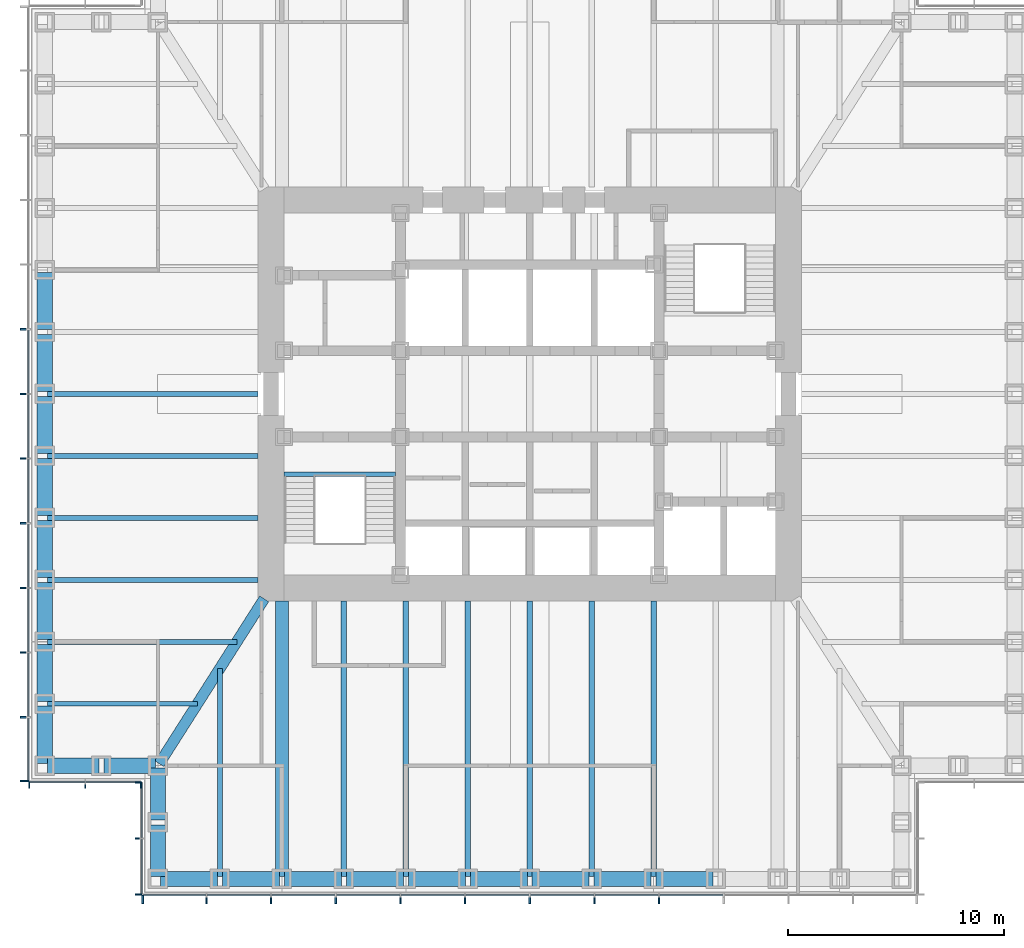
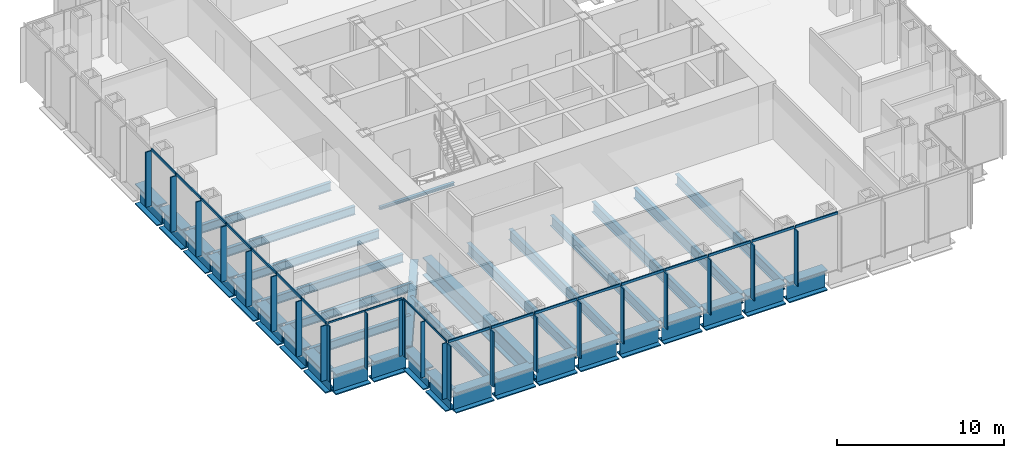
# One storey, part 2 of 17: 43 members, 37 beams, 4 elements without a shape of their own.
"""IFC4 building model written with IfcOpenShell, lengths in metres."""

import ifcopenshell
import ifcopenshell.guid

model = None  # the IFC model being written
_history = None  # IfcOwnerHistory: only IFC2X3 demands one
_inside = {}  # id of a spatial element -> (the spatial element, [elements in it])
_under = {}  # id of a project, library or spatial element -> (it, [spatial elements below it])
_declared = {}  # id of a project -> (the project, [libraries it declares])
_typed = {}  # id of a type object -> (the type object, [elements of that type])
_made_of = {}  # id of a material, layer set ... -> (it, [elements and type objects made of it])


def new_model(schema):
    """Start an empty IFC model of exactly this schema.

    Asked for "IFC4X3", IfcOpenShell would pick the latest addendum, in which some entities
    have other attributes; the version numbers below select the first issue.
    IFC2X3 requires an IfcOwnerHistory on every rooted entity: one is made here for all.
    """
    global model, _history
    if schema == "IFC4X3":
        model = ifcopenshell.file(schema_version=(4, 3, 0, 0))
    else:
        model = ifcopenshell.file(schema=schema)
    _inside.clear()
    _under.clear()
    _declared.clear()
    _typed.clear()
    _made_of.clear()
    _history = None
    if model.schema == "IFC2X3":
        org = make("IfcOrganization", Name="unknown")
        user = make(
            "IfcPersonAndOrganization",
            ThePerson=make("IfcPerson", FamilyName="unknown"),
            TheOrganization=org,
        )
        app = make(
            "IfcApplication",
            ApplicationDeveloper=org,
            Version="unknown",
            ApplicationFullName="unknown",
            ApplicationIdentifier="unknown",
        )
        _history = make(
            "IfcOwnerHistory",
            OwningUser=user,
            OwningApplication=app,
            ChangeAction="ADDED",
            CreationDate=0,
        )
    return model


def make(cls, **values):
    """One entity of the class cls with the attributes given. An attribute that is None is left unset."""
    return model.create_entity(
        cls, **{name: value for name, value in values.items() if value is not None}
    )


def rooted(cls, **values):
    """An entity with a GlobalId (a new one), such as an element, a storey or a relation."""
    return make(cls, GlobalId=ifcopenshell.guid.new(), OwnerHistory=_history, **values)


def si_unit(unit_type, name, prefix=None):
    """IfcSIUnit, for example si_unit("LENGTHUNIT", "METRE", prefix="MILLI")."""
    return make("IfcSIUnit", UnitType=unit_type, Prefix=prefix, Name=name)


def assignment(units):
    """IfcUnitAssignment: the units of a project."""
    return None if units is None else make("IfcUnitAssignment", Units=units)


def point(xyz):
    """IfcCartesianPoint."""
    return None if xyz is None else make("IfcCartesianPoint", Coordinates=xyz)


def direction(xyz):
    """IfcDirection."""
    return None if xyz is None else make("IfcDirection", DirectionRatios=xyz)


def frame(location, z_axis=None, x_axis=None):
    """IfcAxis2Placement3D, a coordinate frame: its origin and axes. An axis left out is left unset."""
    return make(
        "IfcAxis2Placement3D",
        Location=point(location),
        Axis=direction(z_axis),
        RefDirection=direction(x_axis),
    )


def frame_2d(location, x_axis=None):
    """IfcAxis2Placement2D, a coordinate frame in the plane: its origin and x axis."""
    return make(
        "IfcAxis2Placement2D", Location=point(location), RefDirection=direction(x_axis)
    )


def origin():
    """The frame at (0, 0, 0) with its axes left unset."""
    return frame((0.0, 0.0, 0.0))


def origin_2d():
    """The frame at (0, 0) in the plane with its x axis left unset."""
    return frame_2d((0.0, 0.0))


def place(relative_to, where):
    """IfcLocalPlacement: puts the frame where relative to a parent placement (None: the world)."""
    return make(
        "IfcLocalPlacement", PlacementRelTo=relative_to, RelativePlacement=where
    )


def context(
    kind, dimensions, precision=None, world=None, true_north=None, identifier=None
):
    """IfcGeometricRepresentationContext, for example the 3D "Model" context."""
    return make(
        "IfcGeometricRepresentationContext",
        ContextIdentifier=identifier,
        ContextType=kind,
        CoordinateSpaceDimension=dimensions,
        Precision=precision,
        WorldCoordinateSystem=world,
        TrueNorth=true_north,
    )


def subcontext(parent, identifier, kind, view, scale=None):
    """IfcGeometricRepresentationSubContext, for example "Body" below "Model"."""
    return make(
        "IfcGeometricRepresentationSubContext",
        ContextIdentifier=identifier,
        ContextType=kind,
        ParentContext=parent,
        TargetScale=scale,
        TargetView=view,
    )


def project(units=None, contexts=None):
    """IfcProject with its units and contexts."""
    return rooted(
        "IfcProject",
        Name="project",
        RepresentationContexts=contexts,
        UnitsInContext=assignment(units),
    )


def spatial(cls, under=None, at=None, **own):
    """A site, building, storey or space (cls), placed at a placement, below another one or the project."""
    s = rooted(cls, ObjectPlacement=at, **own)
    if under is not None:
        _under.setdefault(under.id(), (under, []))[1].append(s)
    return s


def profile(cls, at=None, kind="AREA", **sizes):
    """A parametric profile (cls). Its sizes go by their IFC names, for example OverallWidth=200.0."""
    return make(cls, ProfileType=kind, Position=at, **sizes)


def rectangle(**sizes):
    """IfcRectangleProfileDef."""
    return profile("IfcRectangleProfileDef", **sizes)


def i_section(**sizes):
    """IfcIShapeProfileDef."""
    return profile("IfcIShapeProfileDef", **sizes)


def extrude(swept, where, along, depth):
    """IfcExtrudedAreaSolid: the profile swept, set in the frame where, extruded along a direction by depth."""
    return make(
        "IfcExtrudedAreaSolid",
        SweptArea=swept,
        Position=where,
        ExtrudedDirection=direction(along),
        Depth=depth,
    )


def shape(context_of_items, identifier, shape_type, items):
    """IfcShapeRepresentation: the items that make up one representation, for example the "Body"."""
    return make(
        "IfcShapeRepresentation",
        ContextOfItems=context_of_items,
        RepresentationIdentifier=identifier,
        RepresentationType=shape_type,
        Items=items,
    )


def material(Name=None, Category=None):
    """IfcMaterial."""
    return make("IfcMaterial", Name=Name, Category=Category)


def material_profile(
    of_material, cross_section, Name=None, Category=None, Priority=None
):
    """IfcMaterialProfile: a cross section and its material."""
    return make(
        "IfcMaterialProfile",
        Name=Name,
        Material=of_material,
        Profile=cross_section,
        Priority=Priority,
        Category=Category,
    )


def profile_set(profiles, Name=None, composite=None):
    """IfcMaterialProfileSet."""
    return make(
        "IfcMaterialProfileSet",
        Name=Name,
        MaterialProfiles=profiles,
        CompositeProfile=composite,
    )


def made_of(thing, what):
    """Note that an element or type object is made of a material, layer set ...; save() writes the relation."""
    if what is not None:
        _made_of.setdefault(what.id(), (what, []))[1].append(thing)
    return thing


def type_object(cls, material=None, **own):
    """A type object (cls), such as IfcWallType, which elements share."""
    return made_of(rooted(cls, **own), material)


def element(
    cls,
    number,
    at=None,
    inside=None,
    cuts=None,
    type_object=None,
    material=None,
    context=None,
    identifier="Body",
    shape_type=None,
    held_by="IfcProductDefinitionShape",
    body=None,
    shapes=None,
    **own,
):
    """One element of the class cls, such as IfcWall. Its Tag is "e" and its number.

    at: its placement. inside: the storey or other place that contains it. cuts: it is an
    opening in that element (IfcRelVoidsElement). A single representation is given by context,
    identifier, shape_type and body (its items); several are given by shapes. held_by: the class
    of the entity that holds the representations. save() writes the other relations.
    """
    e = rooted(cls, Tag="e%d" % number, ObjectPlacement=at, **own)
    if body is not None:
        shapes = [shape(context, identifier, shape_type, body)]
    if shapes is not None:
        e.Representation = make(held_by, Representations=shapes)
    if inside is not None:
        _inside.setdefault(inside.id(), (inside, []))[1].append(e)
    if cuts is not None:
        rooted(
            "IfcRelVoidsElement", RelatingBuildingElement=cuts, RelatedOpeningElement=e
        )
    if type_object is not None:
        _typed.setdefault(type_object.id(), (type_object, []))[1].append(e)
    return made_of(e, material)


def aggregate(whole, parts):
    """IfcRelAggregates: a whole, such as a stair, and the parts it consists of."""
    return rooted("IfcRelAggregates", RelatingObject=whole, RelatedObjects=parts)


def save(model, path):
    """Write the relations noted so far, then the file.

    IfcRelAggregates (storeys below a building ...), IfcRelContainedInSpatialStructure (elements
    in a storey), IfcRelDefinesByType, IfcRelAssociatesMaterial and IfcRelDeclares: one each for
    every whole, place, type object, material and project.
    """
    for whole, parts in _under.values():
        aggregate(whole, parts)
    for where, things in _inside.values():
        rooted(
            "IfcRelContainedInSpatialStructure",
            RelatedElements=things,
            RelatingStructure=where,
        )
    for kind, things in _typed.values():
        rooted("IfcRelDefinesByType", RelatedObjects=things, RelatingType=kind)
    for what, things in _made_of.values():
        rooted("IfcRelAssociatesMaterial", RelatedObjects=things, RelatingMaterial=what)
    for by, libraries in _declared.values():
        rooted("IfcRelDeclares", RelatingContext=by, RelatedDefinitions=libraries)
    model.write(path)


model = new_model("IFC4")

# Units and contexts
model_context = context("Model", 3, precision=1e-05, world=origin(), true_north=direction((0.0, 1.0)))
body_context = subcontext(model_context, "Body", "Model", "MODEL_VIEW")
ifc_project = project(units=[si_unit("LENGTHUNIT", "METRE"), si_unit("AREAUNIT", "SQUARE_METRE"), si_unit("VOLUMEUNIT", "CUBIC_METRE"), si_unit("PLANEANGLEUNIT", "RADIAN"), si_unit("MASSUNIT", "GRAM", prefix="KILO")], contexts=[model_context])

# Site, building, storey
site_placement = place(None, origin())
site = spatial("IfcSite", under=ifc_project, at=site_placement, CompositionType="ELEMENT")
building_placement = place(site_placement, origin())
building = spatial("IfcBuilding", under=site, at=building_placement, Name="Daluyong Arena Tower", CompositionType="ELEMENT")
storey_placement = place(building_placement, frame((0.0, 0.0, 150.10009765625)))
storey = spatial("IfcBuildingStorey", under=building, at=storey_placement, Name="L33", CompositionType="ELEMENT", Elevation=150.10009765625)

# Curtain wall, members
ifc_material_1 = material(Name="Bronze anodised aluminium and glass", Category="aluminium")
curtain_wall_type_1 = type_object("IfcCurtainWallType", Name="Curtain wall CW2", PredefinedType="USERDEFINED", material=ifc_material_1)
curtain_wall_1_placement = place(storey_placement, origin())
curtain_wall_1 = element("IfcCurtainWall", 1, at=curtain_wall_1_placement, inside=storey, type_object=curtain_wall_type_1, Name="curtain wall L33 S", ObjectType="UNITISED CURTAIN WALL", PredefinedType="USERDEFINED")
ifc_material_2 = material(Name="Bronze anodised aluminium fin", Category="aluminium")
ifc_material_profile_1 = material_profile(ifc_material_2, rectangle(XDim=0.39990234375, YDim=0.080078125, at=origin_2d()))
ifc_profile_set_1 = profile_set([ifc_material_profile_1], Name="Bronze anodised aluminium fin")
member_type_1 = type_object("IfcMemberType", Name="CW2 bronze fin 400x80", PredefinedType="MULLION", material=ifc_profile_set_1)
member_1_placement = place(storey_placement, frame((38.0400390625, 56.550048828125, 0.0), z_axis=(0.0, 0.0, 1.0), x_axis=(0.0, 1.0, 0.0)))
member_1 = element("IfcMember", 2, at=member_1_placement, type_object=member_type_1, Name="curtain wall L33 S fin 1", PredefinedType="MULLION", context=body_context, shape_type="SweptSolid", body=[
    extrude(rectangle(XDim=0.39990234375, YDim=0.080078125, at=origin_2d()), origin(), (0.0, 0.0, 1.0), 4.02001953125),
])
member_2_placement = place(storey_placement, frame((41.0, 56.550048828125, 0.0), z_axis=(0.0, 0.0, 1.0), x_axis=(0.0, 1.0, 0.0)))
member_2 = element("IfcMember", 3, at=member_2_placement, type_object=member_type_1, Name="curtain wall L33 S fin 2", PredefinedType="MULLION", context=body_context, shape_type="SweptSolid", body=[
    extrude(rectangle(XDim=0.39990234375, YDim=0.080078125, at=origin_2d()), origin(), (0.0, 0.0, 1.0), 4.02001953125),
])
member_3_placement = place(storey_placement, frame((44.0, 56.550048828125, 0.0), z_axis=(0.0, 0.0, 1.0), x_axis=(0.0, 1.0, 0.0)))
member_3 = element("IfcMember", 4, at=member_3_placement, type_object=member_type_1, Name="curtain wall L33 S fin 3", PredefinedType="MULLION", context=body_context, shape_type="SweptSolid", body=[
    extrude(rectangle(XDim=0.39990234375, YDim=0.080078125, at=origin_2d()), origin(), (0.0, 0.0, 1.0), 4.02001953125),
])
member_4_placement = place(storey_placement, frame((47.0, 56.550048828125, 0.0), z_axis=(0.0, 0.0, 1.0), x_axis=(0.0, 1.0, 0.0)))
member_4 = element("IfcMember", 5, at=member_4_placement, type_object=member_type_1, Name="curtain wall L33 S fin 4", PredefinedType="MULLION", context=body_context, shape_type="SweptSolid", body=[
    extrude(rectangle(XDim=0.39990234375, YDim=0.080078125, at=origin_2d()), origin(), (0.0, 0.0, 1.0), 4.02001953125),
])
member_5_placement = place(storey_placement, frame((50.0, 56.550048828125, 0.0), z_axis=(0.0, 0.0, 1.0), x_axis=(0.0, 1.0, 0.0)))
member_5 = element("IfcMember", 6, at=member_5_placement, type_object=member_type_1, Name="curtain wall L33 S fin 5", PredefinedType="MULLION", context=body_context, shape_type="SweptSolid", body=[
    extrude(rectangle(XDim=0.39990234375, YDim=0.080078125, at=origin_2d()), origin(), (0.0, 0.0, 1.0), 4.02001953125),
])
member_6_placement = place(storey_placement, frame((53.0, 56.550048828125, 0.0), z_axis=(0.0, 0.0, 1.0), x_axis=(0.0, 1.0, 0.0)))
member_6 = element("IfcMember", 7, at=member_6_placement, type_object=member_type_1, Name="curtain wall L33 S fin 6", PredefinedType="MULLION", context=body_context, shape_type="SweptSolid", body=[
    extrude(rectangle(XDim=0.39990234375, YDim=0.080078125, at=origin_2d()), origin(), (0.0, 0.0, 1.0), 4.02001953125),
])
member_7_placement = place(storey_placement, frame((56.0, 56.550048828125, 0.0), z_axis=(0.0, 0.0, 1.0), x_axis=(0.0, 1.0, 0.0)))
member_7 = element("IfcMember", 8, at=member_7_placement, type_object=member_type_1, Name="curtain wall L33 S fin 7", PredefinedType="MULLION", context=body_context, shape_type="SweptSolid", body=[
    extrude(rectangle(XDim=0.39990234375, YDim=0.080078125, at=origin_2d()), origin(), (0.0, 0.0, 1.0), 4.02001953125),
])
member_8_placement = place(storey_placement, frame((59.0, 56.550048828125, 0.0), z_axis=(0.0, 0.0, 1.0), x_axis=(0.0, 1.0, 0.0)))
member_8 = element("IfcMember", 9, at=member_8_placement, type_object=member_type_1, Name="curtain wall L33 S fin 8", PredefinedType="MULLION", context=body_context, shape_type="SweptSolid", body=[
    extrude(rectangle(XDim=0.39990234375, YDim=0.080078125, at=origin_2d()), origin(), (0.0, 0.0, 1.0), 4.02001953125),
])
member_9_placement = place(storey_placement, frame((62.0, 56.550048828125, 0.0), z_axis=(0.0, 0.0, 1.0), x_axis=(0.0, 1.0, 0.0)))
member_9 = element("IfcMember", 10, at=member_9_placement, type_object=member_type_1, Name="curtain wall L33 S fin 9", PredefinedType="MULLION", context=body_context, shape_type="SweptSolid", body=[
    extrude(rectangle(XDim=0.39990234375, YDim=0.080078125, at=origin_2d()), origin(), (0.0, 0.0, 1.0), 4.02001953125),
])

curtain_wall_2_placement = place(storey_placement, origin())
curtain_wall_2 = element("IfcCurtainWall", 11, at=curtain_wall_2_placement, inside=storey, type_object=curtain_wall_type_1, Name="curtain wall L33 W", ObjectType="UNITISED CURTAIN WALL", PredefinedType="USERDEFINED")
member_10_placement = place(storey_placement, frame((32.550048828125, 83.0, 0.0), z_axis=(0.0, 0.0, 1.0), x_axis=(1.0, 0.0, 0.0)))
member_10 = element("IfcMember", 12, at=member_10_placement, type_object=member_type_1, Name="curtain wall L33 W fin 6", PredefinedType="MULLION", context=body_context, shape_type="SweptSolid", body=[
    extrude(rectangle(XDim=0.39990234375, YDim=0.080078125, at=origin_2d()), origin(), (0.0, 0.0, 1.0), 4.02001953125),
])
member_11_placement = place(storey_placement, frame((32.550048828125, 80.0, 0.0), z_axis=(0.0, 0.0, 1.0), x_axis=(1.0, 0.0, 0.0)))
member_11 = element("IfcMember", 13, at=member_11_placement, type_object=member_type_1, Name="curtain wall L33 W fin 7", PredefinedType="MULLION", context=body_context, shape_type="SweptSolid", body=[
    extrude(rectangle(XDim=0.39990234375, YDim=0.080078125, at=origin_2d()), origin(), (0.0, 0.0, 1.0), 4.02001953125),
])
member_12_placement = place(storey_placement, frame((32.550048828125, 77.0, 0.0), z_axis=(0.0, 0.0, 1.0), x_axis=(1.0, 0.0, 0.0)))
member_12 = element("IfcMember", 14, at=member_12_placement, type_object=member_type_1, Name="curtain wall L33 W fin 8", PredefinedType="MULLION", context=body_context, shape_type="SweptSolid", body=[
    extrude(rectangle(XDim=0.39990234375, YDim=0.080078125, at=origin_2d()), origin(), (0.0, 0.0, 1.0), 4.02001953125),
])
member_13_placement = place(storey_placement, frame((32.550048828125, 74.0, 0.0), z_axis=(0.0, 0.0, 1.0), x_axis=(1.0, 0.0, 0.0)))
member_13 = element("IfcMember", 15, at=member_13_placement, type_object=member_type_1, Name="curtain wall L33 W fin 9", PredefinedType="MULLION", context=body_context, shape_type="SweptSolid", body=[
    extrude(rectangle(XDim=0.39990234375, YDim=0.080078125, at=origin_2d()), origin(), (0.0, 0.0, 1.0), 4.02001953125),
])
member_14_placement = place(storey_placement, frame((32.550048828125, 71.0, 0.0), z_axis=(0.0, 0.0, 1.0), x_axis=(1.0, 0.0, 0.0)))
member_14 = element("IfcMember", 16, at=member_14_placement, type_object=member_type_1, Name="curtain wall L33 W fin 10", PredefinedType="MULLION", context=body_context, shape_type="SweptSolid", body=[
    extrude(rectangle(XDim=0.39990234375, YDim=0.080078125, at=origin_2d()), origin(), (0.0, 0.0, 1.0), 4.02001953125),
])
member_15_placement = place(storey_placement, frame((32.550048828125, 68.0, 0.0), z_axis=(0.0, 0.0, 1.0), x_axis=(1.0, 0.0, 0.0)))
member_15 = element("IfcMember", 17, at=member_15_placement, type_object=member_type_1, Name="curtain wall L33 W fin 11", PredefinedType="MULLION", context=body_context, shape_type="SweptSolid", body=[
    extrude(rectangle(XDim=0.39990234375, YDim=0.080078125, at=origin_2d()), origin(), (0.0, 0.0, 1.0), 4.02001953125),
])
member_16_placement = place(storey_placement, frame((32.550048828125, 65.0, 0.0), z_axis=(0.0, 0.0, 1.0), x_axis=(1.0, 0.0, 0.0)))
member_16 = element("IfcMember", 18, at=member_16_placement, type_object=member_type_1, Name="curtain wall L33 W fin 12", PredefinedType="MULLION", context=body_context, shape_type="SweptSolid", body=[
    extrude(rectangle(XDim=0.39990234375, YDim=0.080078125, at=origin_2d()), origin(), (0.0, 0.0, 1.0), 4.02001953125),
])
member_17_placement = place(storey_placement, frame((32.550048828125, 62.0400390625, 0.0), z_axis=(0.0, 0.0, 1.0), x_axis=(1.0, 0.0, 0.0)))
member_17 = element("IfcMember", 19, at=member_17_placement, type_object=member_type_1, Name="curtain wall L33 W fin 13", PredefinedType="MULLION", context=body_context, shape_type="SweptSolid", body=[
    extrude(rectangle(XDim=0.39990234375, YDim=0.080078125, at=origin_2d()), origin(), (0.0, 0.0, 1.0), 4.02001953125),
])

# Member
ifc_material_3 = material(Name="Bronze anodised aluminium", Category="aluminium")
ifc_material_profile_2 = material_profile(ifc_material_3, rectangle(XDim=0.080078125, YDim=0.179931640625, at=origin_2d()))
ifc_profile_set_2 = profile_set([ifc_material_profile_2], Name="Bronze anodised aluminium")
member_type_2 = type_object("IfcMemberType", Name="CW2 stack transom 180x80", PredefinedType="USERDEFINED", material=ifc_profile_set_2)
member_18_placement = place(storey_placement, frame((38.080078125, 56.75, 4.10986328125), z_axis=(1.0, 0.0, 0.0), x_axis=(0.0, 1.0, 0.0)))
member_18 = element("IfcMember", 20, at=member_18_placement, type_object=member_type_2, Name="curtain wall L33 S transom 1", ObjectType="TRANSOM", PredefinedType="USERDEFINED", context=body_context, shape_type="SweptSolid", body=[
    extrude(rectangle(XDim=0.080078125, YDim=0.179931640625, at=origin_2d()), origin(), (0.0, 0.0, 1.0), 2.8798828125),
])

member_19_placement = place(storey_placement, frame((41.0400390625, 56.75, 4.10986328125), z_axis=(1.0, 0.0, 0.0), x_axis=(0.0, 1.0, 0.0)))
member_19 = element("IfcMember", 21, at=member_19_placement, type_object=member_type_2, Name="curtain wall L33 S transom 2", ObjectType="TRANSOM", PredefinedType="USERDEFINED", context=body_context, shape_type="SweptSolid", body=[
    extrude(rectangle(XDim=0.080078125, YDim=0.179931640625, at=origin_2d()), origin(), (0.0, 0.0, 1.0), 2.919921875),
])

member_20_placement = place(storey_placement, frame((44.0400390625, 56.75, 4.10986328125), z_axis=(1.0, 0.0, 0.0), x_axis=(0.0, 1.0, 0.0)))
member_20 = element("IfcMember", 22, at=member_20_placement, type_object=member_type_2, Name="curtain wall L33 S transom 3", ObjectType="TRANSOM", PredefinedType="USERDEFINED", context=body_context, shape_type="SweptSolid", body=[
    extrude(rectangle(XDim=0.080078125, YDim=0.179931640625, at=origin_2d()), origin(), (0.0, 0.0, 1.0), 2.919921875),
])

member_21_placement = place(storey_placement, frame((47.0400390625, 56.75, 4.10986328125), z_axis=(1.0, 0.0, 0.0), x_axis=(0.0, 1.0, 0.0)))
member_21 = element("IfcMember", 23, at=member_21_placement, type_object=member_type_2, Name="curtain wall L33 S transom 4", ObjectType="TRANSOM", PredefinedType="USERDEFINED", context=body_context, shape_type="SweptSolid", body=[
    extrude(rectangle(XDim=0.080078125, YDim=0.179931640625, at=origin_2d()), origin(), (0.0, 0.0, 1.0), 2.919921875),
])

member_22_placement = place(storey_placement, frame((50.0400390625, 56.75, 4.10986328125), z_axis=(1.0, 0.0, 0.0), x_axis=(0.0, 1.0, 0.0)))
member_22 = element("IfcMember", 24, at=member_22_placement, type_object=member_type_2, Name="curtain wall L33 S transom 5", ObjectType="TRANSOM", PredefinedType="USERDEFINED", context=body_context, shape_type="SweptSolid", body=[
    extrude(rectangle(XDim=0.080078125, YDim=0.179931640625, at=origin_2d()), origin(), (0.0, 0.0, 1.0), 2.919921875),
])

member_23_placement = place(storey_placement, frame((53.0400390625, 56.75, 4.10986328125), z_axis=(1.0, 0.0, 0.0), x_axis=(0.0, 1.0, 0.0)))
member_23 = element("IfcMember", 25, at=member_23_placement, type_object=member_type_2, Name="curtain wall L33 S transom 6", ObjectType="TRANSOM", PredefinedType="USERDEFINED", context=body_context, shape_type="SweptSolid", body=[
    extrude(rectangle(XDim=0.080078125, YDim=0.179931640625, at=origin_2d()), origin(), (0.0, 0.0, 1.0), 2.919921875),
])

member_24_placement = place(storey_placement, frame((56.0400390625, 56.75, 4.10986328125), z_axis=(1.0, 0.0, 0.0), x_axis=(0.0, 1.0, 0.0)))
member_24 = element("IfcMember", 26, at=member_24_placement, type_object=member_type_2, Name="curtain wall L33 S transom 7", ObjectType="TRANSOM", PredefinedType="USERDEFINED", context=body_context, shape_type="SweptSolid", body=[
    extrude(rectangle(XDim=0.080078125, YDim=0.179931640625, at=origin_2d()), origin(), (0.0, 0.0, 1.0), 2.919921875),
])

member_25_placement = place(storey_placement, frame((59.0400390625, 56.75, 4.10986328125), z_axis=(1.0, 0.0, 0.0), x_axis=(0.0, 1.0, 0.0)))
member_25 = element("IfcMember", 27, at=member_25_placement, type_object=member_type_2, Name="curtain wall L33 S transom 8", ObjectType="TRANSOM", PredefinedType="USERDEFINED", context=body_context, shape_type="SweptSolid", body=[
    extrude(rectangle(XDim=0.080078125, YDim=0.179931640625, at=origin_2d()), origin(), (0.0, 0.0, 1.0), 2.919921875),
])

member_26_placement = place(storey_placement, frame((62.0400390625, 56.75, 4.10986328125), z_axis=(1.0, 0.0, 0.0), x_axis=(0.0, 1.0, 0.0)))
member_26 = element("IfcMember", 28, at=member_26_placement, type_object=member_type_2, Name="curtain wall L33 S transom 9", ObjectType="TRANSOM", PredefinedType="USERDEFINED", context=body_context, shape_type="SweptSolid", body=[
    extrude(rectangle(XDim=0.080078125, YDim=0.179931640625, at=origin_2d()), origin(), (0.0, 0.0, 1.0), 2.919921875),
])

aggregate(curtain_wall_1, [member_1, member_2, member_3, member_4, member_5, member_6, member_7, member_8, member_9, member_18, member_19, member_20, member_21, member_22, member_23, member_24, member_25, member_26])

member_27_placement = place(storey_placement, frame((32.75, 82.9599609375, 4.10986328125), z_axis=(0.0, -1.0, 0.0), x_axis=(1.0, 0.0, 0.0)))
member_27 = element("IfcMember", 29, at=member_27_placement, type_object=member_type_2, Name="curtain wall L33 W transom 6", ObjectType="TRANSOM", PredefinedType="USERDEFINED", context=body_context, shape_type="SweptSolid", body=[
    extrude(rectangle(XDim=0.080078125, YDim=0.179931640625, at=origin_2d()), origin(), (0.0, 0.0, 1.0), 2.919921875),
])

member_28_placement = place(storey_placement, frame((32.75, 79.9599609375, 4.10986328125), z_axis=(0.0, -1.0, 0.0), x_axis=(1.0, 0.0, 0.0)))
member_28 = element("IfcMember", 30, at=member_28_placement, type_object=member_type_2, Name="curtain wall L33 W transom 7", ObjectType="TRANSOM", PredefinedType="USERDEFINED", context=body_context, shape_type="SweptSolid", body=[
    extrude(rectangle(XDim=0.080078125, YDim=0.179931640625, at=origin_2d()), origin(), (0.0, 0.0, 1.0), 2.919921875),
])

member_29_placement = place(storey_placement, frame((32.75, 76.9599609375, 4.10986328125), z_axis=(0.0, -1.0, 0.0), x_axis=(1.0, 0.0, 0.0)))
member_29 = element("IfcMember", 31, at=member_29_placement, type_object=member_type_2, Name="curtain wall L33 W transom 8", ObjectType="TRANSOM", PredefinedType="USERDEFINED", context=body_context, shape_type="SweptSolid", body=[
    extrude(rectangle(XDim=0.080078125, YDim=0.179931640625, at=origin_2d()), origin(), (0.0, 0.0, 1.0), 2.919921875),
])

member_30_placement = place(storey_placement, frame((32.75, 73.9599609375, 4.10986328125), z_axis=(0.0, -1.0, 0.0), x_axis=(1.0, 0.0, 0.0)))
member_30 = element("IfcMember", 32, at=member_30_placement, type_object=member_type_2, Name="curtain wall L33 W transom 9", ObjectType="TRANSOM", PredefinedType="USERDEFINED", context=body_context, shape_type="SweptSolid", body=[
    extrude(rectangle(XDim=0.080078125, YDim=0.179931640625, at=origin_2d()), origin(), (0.0, 0.0, 1.0), 2.919921875),
])

member_31_placement = place(storey_placement, frame((32.75, 70.9599609375, 4.10986328125), z_axis=(0.0, -1.0, 0.0), x_axis=(1.0, 0.0, 0.0)))
member_31 = element("IfcMember", 33, at=member_31_placement, type_object=member_type_2, Name="curtain wall L33 W transom 10", ObjectType="TRANSOM", PredefinedType="USERDEFINED", context=body_context, shape_type="SweptSolid", body=[
    extrude(rectangle(XDim=0.080078125, YDim=0.179931640625, at=origin_2d()), origin(), (0.0, 0.0, 1.0), 2.919921875),
])

member_32_placement = place(storey_placement, frame((32.75, 67.9599609375, 4.10986328125), z_axis=(0.0, -1.0, 0.0), x_axis=(1.0, 0.0, 0.0)))
member_32 = element("IfcMember", 34, at=member_32_placement, type_object=member_type_2, Name="curtain wall L33 W transom 11", ObjectType="TRANSOM", PredefinedType="USERDEFINED", context=body_context, shape_type="SweptSolid", body=[
    extrude(rectangle(XDim=0.080078125, YDim=0.179931640625, at=origin_2d()), origin(), (0.0, 0.0, 1.0), 2.919921875),
])

member_33_placement = place(storey_placement, frame((32.75, 64.9599609375, 4.10986328125), z_axis=(0.0, -1.0, 0.0), x_axis=(1.0, 0.0, 0.0)))
member_33 = element("IfcMember", 35, at=member_33_placement, type_object=member_type_2, Name="curtain wall L33 W transom 12", ObjectType="TRANSOM", PredefinedType="USERDEFINED", context=body_context, shape_type="SweptSolid", body=[
    extrude(rectangle(XDim=0.080078125, YDim=0.179931640625, at=origin_2d()), origin(), (0.0, 0.0, 1.0), 2.8798828125),
])

aggregate(curtain_wall_2, [member_10, member_11, member_12, member_13, member_14, member_15, member_16, member_17, member_27, member_28, member_29, member_30, member_31, member_32, member_33])

# Curtain wall, members
ifc_material_4 = material(Name="Bronze anodised aluminium and glass", Category="aluminium")
curtain_wall_type_2 = type_object("IfcCurtainWallType", Name="Curtain wall CW7", PredefinedType="USERDEFINED", material=ifc_material_4)
curtain_wall_3_placement = place(storey_placement, origin())
curtain_wall_3 = element("IfcCurtainWall", 36, at=curtain_wall_3_placement, inside=storey, type_object=curtain_wall_type_2, Name="curtain wall L33 SW-S", ObjectType="UNITISED CURTAIN WALL", PredefinedType="USERDEFINED")
ifc_material_5 = material(Name="Bronze anodised aluminium fin", Category="aluminium")
ifc_material_profile_3 = material_profile(ifc_material_5, rectangle(XDim=0.300048828125, YDim=0.06005859375, at=origin_2d()))
ifc_profile_set_3 = profile_set([ifc_material_profile_3], Name="Bronze anodised aluminium fin")
member_type_3 = type_object("IfcMemberType", Name="CW7 bronze fin 300x60", PredefinedType="MULLION", material=ifc_profile_set_3)
member_34_placement = place(storey_placement, frame((32.780029296875, 61.85009765625, 0.0), z_axis=(0.0, 0.0, 1.0), x_axis=(0.0, 1.0, 0.0)))
member_34 = element("IfcMember", 37, at=member_34_placement, type_object=member_type_3, Name="curtain wall L33 SW-S fin 1", PredefinedType="MULLION", context=body_context, shape_type="SweptSolid", body=[
    extrude(rectangle(XDim=0.300048828125, YDim=0.06005859375, at=origin_2d()), origin(), (0.0, 0.0, 1.0), 4.079833984375),
])
member_35_placement = place(storey_placement, frame((35.375, 61.85009765625, 0.0), z_axis=(0.0, 0.0, 1.0), x_axis=(0.0, 1.0, 0.0)))
member_35 = element("IfcMember", 38, at=member_35_placement, type_object=member_type_3, Name="curtain wall L33 SW-S fin 2", PredefinedType="MULLION", context=body_context, shape_type="SweptSolid", body=[
    extrude(rectangle(XDim=0.300048828125, YDim=0.06005859375, at=origin_2d()), origin(), (0.0, 0.0, 1.0), 4.079833984375),
])
member_36_placement = place(storey_placement, frame((37.969970703125, 61.85009765625, 0.0), z_axis=(0.0, 0.0, 1.0), x_axis=(0.0, 1.0, 0.0)))
member_36 = element("IfcMember", 39, at=member_36_placement, type_object=member_type_3, Name="curtain wall L33 SW-S fin 3", PredefinedType="MULLION", context=body_context, shape_type="SweptSolid", body=[
    extrude(rectangle(XDim=0.300048828125, YDim=0.06005859375, at=origin_2d()), origin(), (0.0, 0.0, 1.0), 4.079833984375),
])

curtain_wall_4_placement = place(storey_placement, origin())
curtain_wall_4 = element("IfcCurtainWall", 40, at=curtain_wall_4_placement, inside=storey, type_object=curtain_wall_type_2, Name="curtain wall L33 SW-W", ObjectType="UNITISED CURTAIN WALL", PredefinedType="USERDEFINED")
member_37_placement = place(storey_placement, frame((37.85009765625, 61.969970703125, 0.0), z_axis=(0.0, 0.0, 1.0), x_axis=(1.0, 0.0, 0.0)))
member_37 = element("IfcMember", 41, at=member_37_placement, type_object=member_type_3, Name="curtain wall L33 SW-W fin 1", PredefinedType="MULLION", context=body_context, shape_type="SweptSolid", body=[
    extrude(rectangle(XDim=0.300048828125, YDim=0.06005859375, at=origin_2d()), origin(), (0.0, 0.0, 1.0), 4.079833984375),
])
member_38_placement = place(storey_placement, frame((37.85009765625, 59.375, 0.0), z_axis=(0.0, 0.0, 1.0), x_axis=(1.0, 0.0, 0.0)))
member_38 = element("IfcMember", 42, at=member_38_placement, type_object=member_type_3, Name="curtain wall L33 SW-W fin 2", PredefinedType="MULLION", context=body_context, shape_type="SweptSolid", body=[
    extrude(rectangle(XDim=0.300048828125, YDim=0.06005859375, at=origin_2d()), origin(), (0.0, 0.0, 1.0), 4.079833984375),
])
member_39_placement = place(storey_placement, frame((37.85009765625, 56.780029296875, 0.0), z_axis=(0.0, 0.0, 1.0), x_axis=(1.0, 0.0, 0.0)))
member_39 = element("IfcMember", 43, at=member_39_placement, type_object=member_type_3, Name="curtain wall L33 SW-W fin 3", PredefinedType="MULLION", context=body_context, shape_type="SweptSolid", body=[
    extrude(rectangle(XDim=0.300048828125, YDim=0.06005859375, at=origin_2d()), origin(), (0.0, 0.0, 1.0), 4.079833984375),
])

# Member
ifc_material_6 = material(Name="Bronze anodised aluminium", Category="aluminium")
ifc_material_profile_4 = material_profile(ifc_material_6, rectangle(XDim=0.06005859375, YDim=0.1201171875, at=origin_2d()))
ifc_profile_set_4 = profile_set([ifc_material_profile_4], Name="Bronze anodised aluminium")
member_type_4 = type_object("IfcMemberType", Name="CW7 stack transom 120x60", PredefinedType="USERDEFINED", material=ifc_profile_set_4)
member_40_placement = place(storey_placement, frame((32.81005859375, 62.0, 4.139892578125), z_axis=(1.0, 0.0, 0.0), x_axis=(0.0, 1.0, 0.0)))
member_40 = element("IfcMember", 44, at=member_40_placement, type_object=member_type_4, Name="curtain wall L33 SW-S transom 1", ObjectType="TRANSOM", PredefinedType="USERDEFINED", context=body_context, shape_type="SweptSolid", body=[
    extrude(rectangle(XDim=0.06005859375, YDim=0.1201171875, at=origin_2d()), origin(), (0.0, 0.0, 1.0), 2.534912109375),
])

member_41_placement = place(storey_placement, frame((35.405029296875, 62.0, 4.139892578125), z_axis=(1.0, 0.0, 0.0), x_axis=(0.0, 1.0, 0.0)))
member_41 = element("IfcMember", 45, at=member_41_placement, type_object=member_type_4, Name="curtain wall L33 SW-S transom 2", ObjectType="TRANSOM", PredefinedType="USERDEFINED", context=body_context, shape_type="SweptSolid", body=[
    extrude(rectangle(XDim=0.06005859375, YDim=0.1201171875, at=origin_2d()), origin(), (0.0, 0.0, 1.0), 2.534912109375),
])

aggregate(curtain_wall_3, [member_34, member_35, member_36, member_40, member_41])

member_42_placement = place(storey_placement, frame((38.0, 61.93994140625, 4.139892578125), z_axis=(0.0, -1.0, 0.0), x_axis=(1.0, 0.0, 0.0)))
member_42 = element("IfcMember", 46, at=member_42_placement, type_object=member_type_4, Name="curtain wall L33 SW-W transom 1", ObjectType="TRANSOM", PredefinedType="USERDEFINED", context=body_context, shape_type="SweptSolid", body=[
    extrude(rectangle(XDim=0.06005859375, YDim=0.1201171875, at=origin_2d()), origin(), (0.0, 0.0, 1.0), 2.534912109375),
])

member_43_placement = place(storey_placement, frame((38.0, 59.344970703125, 4.139892578125), z_axis=(0.0, -1.0, 0.0), x_axis=(1.0, 0.0, 0.0)))
member_43 = element("IfcMember", 47, at=member_43_placement, type_object=member_type_4, Name="curtain wall L33 SW-W transom 2", ObjectType="TRANSOM", PredefinedType="USERDEFINED", context=body_context, shape_type="SweptSolid", body=[
    extrude(rectangle(XDim=0.06005859375, YDim=0.1201171875, at=origin_2d()), origin(), (0.0, 0.0, 1.0), 2.534912109375),
])

aggregate(curtain_wall_4, [member_37, member_38, member_39, member_42, member_43])

# Beams
ifc_material_7 = material(Name="Steel ASTM A572 Grade 50", Category="steel")
ifc_material_profile_5 = material_profile(ifc_material_7, i_section(OverallWidth=0.5, OverallDepth=1.0, WebThickness=0.03, FlangeThickness=0.06, at=origin_2d()))
ifc_profile_set_5 = profile_set([ifc_material_profile_5], Name="Steel ASTM A572 Grade 50")
beam_type_1 = type_object("IfcBeamType", Name="Corner girder TB1000X500", PredefinedType="BEAM", material=ifc_profile_set_5)
beam_1_placement = place(storey_placement, frame((38.811767578125, 62.846923828125, -0.66015625), z_axis=(0.536872006459, 0.843663705916, 0.0), x_axis=(-0.843663705916, 0.536872006459, 0.0)))
element("IfcBeam", 48, at=beam_1_placement, inside=storey, type_object=beam_type_1, Name="corner girder DG2", PredefinedType="BEAM", context=body_context, shape_type="SweptSolid", body=[
    extrude(i_section(OverallWidth=0.5, OverallDepth=1.0, WebThickness=0.03, FlangeThickness=0.06, at=origin_2d()), origin(), (0.0, 0.0, 1.0), 9.06396484375),
])
ifc_material_8 = material(Name="Steel ASTM A572 Grade 50", Category="steel")
ifc_material_profile_6 = material_profile(ifc_material_8, i_section(OverallWidth=0.60009765625, OverallDepth=1.300048828125, WebThickness=0.035, FlangeThickness=0.07, at=origin_2d()))
ifc_profile_set_6 = profile_set([ifc_material_profile_6], Name="Steel ASTM A572 Grade 50")
beam_type_2 = type_object("IfcBeamType", Name="Floor beam TB1300X600", PredefinedType="BEAM", material=ifc_profile_set_6)
beam_2_placement = place(storey_placement, frame((44.5, 57.614990234375, -0.81005859375), z_axis=(0.0, 1.0, 0.0), x_axis=(-1.0, 0.0, 0.0)))
element("IfcBeam", 49, at=beam_2_placement, inside=storey, type_object=beam_type_2, Name="floor beam FB7", PredefinedType="BEAM", context=body_context, shape_type="SweptSolid", body=[
    extrude(i_section(OverallWidth=0.60009765625, OverallDepth=1.300048828125, WebThickness=0.035, FlangeThickness=0.07, at=origin_2d()), origin(), (0.0, 0.0, 1.0), 12.784912109375),
])
ifc_material_9 = material(Name="Steel ASTM A992 Grade 50", Category="steel")
ifc_material_profile_7 = material_profile(ifc_material_9, i_section(OverallWidth=0.22900390625, OverallDepth=0.612060546875, WebThickness=0.011962890625, FlangeThickness=0.01953125, at=origin_2d()))
ifc_profile_set_7 = profile_set([ifc_material_profile_7], Name="Steel ASTM A992 Grade 50")
beam_type_3 = type_object("IfcBeamType", Name="Floor beam W24X84", PredefinedType="BEAM", material=ifc_profile_set_7)
beam_3_placement = place(storey_placement, frame((41.625, 57.614990234375, -0.466064453125), z_axis=(0.0, 1.0, 0.0), x_axis=(-1.0, 0.0, 0.0)))
element("IfcBeam", 50, at=beam_3_placement, inside=storey, type_object=beam_type_3, Name="floor beam FB3", PredefinedType="BEAM", context=body_context, shape_type="SweptSolid", body=[
    extrude(i_section(OverallWidth=0.22900390625, OverallDepth=0.612060546875, WebThickness=0.011962890625, FlangeThickness=0.01953125, at=origin_2d()), origin(), (0.0, 0.0, 1.0), 9.65283203125),
])
for number, where, z_axis, x_axis, name in (
    (51, (33.614990234375, 80.0, -0.466064453125), (1.0, 0.0, 0.0), (0.0, 1.0, 0.0), "floor beam FB3"),
    (52, (33.614990234375, 77.125, -0.466064453125), (1.0, 0.0, 0.0), (0.0, 1.0, 0.0), "floor beam FB3"),
    (53, (33.614990234375, 74.25, -0.466064453125), (1.0, 0.0, 0.0), (0.0, 1.0, 0.0), "floor beam FB3"),
    (54, (33.614990234375, 71.375, -0.466064453125), (1.0, 0.0, 0.0), (0.0, 1.0, 0.0), "floor beam FB3"),
):
    element("IfcBeam", number, at=place(storey_placement, frame(where, z_axis=z_axis, x_axis=x_axis)), inside=storey, type_object=beam_type_3, Name=name, PredefinedType="BEAM", context=body_context, shape_type="SweptSolid", body=[
        extrude(i_section(OverallWidth=0.22900390625, OverallDepth=0.612060546875, WebThickness=0.011962890625, FlangeThickness=0.01953125, at=origin_2d()), origin(), (0.0, 0.0, 1.0), 9.784912109375),
    ])
beam_4_placement = place(storey_placement, frame((33.614990234375, 68.5, -0.466064453125), z_axis=(1.0, 0.0, 0.0), x_axis=(0.0, 1.0, 0.0)))
element("IfcBeam", 55, at=beam_4_placement, inside=storey, type_object=beam_type_3, Name="floor beam FB3", PredefinedType="BEAM", context=body_context, shape_type="SweptSolid", body=[
    extrude(i_section(OverallWidth=0.22900390625, OverallDepth=0.612060546875, WebThickness=0.011962890625, FlangeThickness=0.01953125, at=origin_2d()), origin(), (0.0, 0.0, 1.0), 8.794189453125),
])
beam_5_placement = place(storey_placement, frame((33.614990234375, 65.625, -0.466064453125), z_axis=(1.0, 0.0, 0.0), x_axis=(0.0, 1.0, 0.0)))
element("IfcBeam", 56, at=beam_5_placement, inside=storey, type_object=beam_type_3, Name="floor beam FB3", PredefinedType="BEAM", context=body_context, shape_type="SweptSolid", body=[
    extrude(i_section(OverallWidth=0.22900390625, OverallDepth=0.612060546875, WebThickness=0.011962890625, FlangeThickness=0.01953125, at=origin_2d()), origin(), (0.0, 0.0, 1.0), 6.964599609375),
])
ifc_material_10 = material(Name="Steel ASTM A992 Grade 50", Category="steel")
ifc_material_profile_8 = material_profile(ifc_material_10, i_section(OverallWidth=0.2666015625, OverallDepth=0.761962890625, WebThickness=0.014404296875, FlangeThickness=0.021484375, at=origin_2d()))
ifc_profile_set_8 = profile_set([ifc_material_profile_8], Name="Steel ASTM A992 Grade 50")
beam_type_4 = type_object("IfcBeamType", Name="Floor beam W30X116", PredefinedType="BEAM", material=ifc_profile_set_8)
for number, where, z_axis, x_axis, name in (
    (57, (47.375, 57.614990234375, -0.541015625), (0.0, 1.0, 0.0), (-1.0, 0.0, 0.0), "floor beam FB4"),
    (58, (50.25, 57.614990234375, -0.541015625), (0.0, 1.0, 0.0), (-1.0, 0.0, 0.0), "floor beam FB4"),
    (59, (53.125, 57.614990234375, -0.541015625), (0.0, 1.0, 0.0), (-1.0, 0.0, 0.0), "floor beam FB4"),
    (60, (56.0, 57.614990234375, -0.541015625), (0.0, 1.0, 0.0), (-1.0, 0.0, 0.0), "floor beam FB4"),
    (61, (58.875, 57.614990234375, -0.541015625), (0.0, 1.0, 0.0), (-1.0, 0.0, 0.0), "floor beam FB4"),
    (62, (61.75, 57.614990234375, -0.541015625), (0.0, 1.0, 0.0), (-1.0, 0.0, 0.0), "floor beam FB4"),
):
    element("IfcBeam", number, at=place(storey_placement, frame(where, z_axis=z_axis, x_axis=x_axis)), inside=storey, type_object=beam_type_4, Name=name, PredefinedType="BEAM", context=body_context, shape_type="SweptSolid", body=[
        extrude(i_section(OverallWidth=0.2666015625, OverallDepth=0.761962890625, WebThickness=0.014404296875, FlangeThickness=0.021484375, at=origin_2d()), origin(), (0.0, 0.0, 1.0), 12.784912109375),
    ])
ifc_material_11 = material(Name="Steel ASTM A572 Grade 50", Category="steel")
ifc_material_profile_9 = material_profile(ifc_material_11, i_section(OverallWidth=0.699951171875, OverallDepth=1.5, WebThickness=0.04, FlangeThickness=0.08, at=origin_2d()))
ifc_profile_set_9 = profile_set([ifc_material_profile_9], Name="Steel ASTM A572 Grade 50")
beam_type_5 = type_object("IfcBeamType", Name="Spandrel Z2 PG1500X700", PredefinedType="SPANDREL", material=ifc_profile_set_9)
for number, where, z_axis, x_axis, name in (
    (63, (38.864990234375, 57.5, -0.91015625), (1.0, 0.0, 0.0), (0.0, 1.0, 0.0), "spandrel z2 SB6"),
    (64, (41.739990234375, 57.5, -0.91015625), (1.0, 0.0, 0.0), (0.0, 1.0, 0.0), "spandrel z2 SB6"),
    (65, (44.614990234375, 57.5, -0.91015625), (1.0, 0.0, 0.0), (0.0, 1.0, 0.0), "spandrel z2 SB6"),
    (66, (47.489990234375, 57.5, -0.91015625), (1.0, 0.0, 0.0), (0.0, 1.0, 0.0), "spandrel z2 SB6"),
    (67, (50.364990234375, 57.5, -0.91015625), (1.0, 0.0, 0.0), (0.0, 1.0, 0.0), "spandrel z2 SB6"),
    (68, (53.239990234375, 57.5, -0.91015625), (1.0, 0.0, 0.0), (0.0, 1.0, 0.0), "spandrel z2 SB6"),
    (69, (56.114990234375, 57.5, -0.91015625), (1.0, 0.0, 0.0), (0.0, 1.0, 0.0), "spandrel z2 SB6"),
    (70, (58.989990234375, 57.5, -0.91015625), (1.0, 0.0, 0.0), (0.0, 1.0, 0.0), "spandrel z2 SB6"),
    (71, (61.864990234375, 57.5, -0.91015625), (1.0, 0.0, 0.0), (0.0, 1.0, 0.0), "spandrel z2 SB6"),
    (72, (33.5, 85.635009765625, -0.91015625), (0.0, -1.0, 0.0), (1.0, 0.0, 0.0), "spandrel z2 SB6"),
    (73, (33.5, 82.760009765625, -0.91015625), (0.0, -1.0, 0.0), (1.0, 0.0, 0.0), "spandrel z2 SB6"),
    (74, (33.5, 79.885009765625, -0.91015625), (0.0, -1.0, 0.0), (1.0, 0.0, 0.0), "spandrel z2 SB6"),
    (75, (33.5, 77.010009765625, -0.91015625), (0.0, -1.0, 0.0), (1.0, 0.0, 0.0), "spandrel z2 SB6"),
    (76, (33.5, 74.135009765625, -0.91015625), (0.0, -1.0, 0.0), (1.0, 0.0, 0.0), "spandrel z2 SB6"),
    (77, (33.5, 71.260009765625, -0.91015625), (0.0, -1.0, 0.0), (1.0, 0.0, 0.0), "spandrel z2 SB6"),
    (78, (33.5, 68.385009765625, -0.91015625), (0.0, -1.0, 0.0), (1.0, 0.0, 0.0), "spandrel z2 SB6"),
    (79, (33.5, 65.510009765625, -0.91015625), (0.0, -1.0, 0.0), (1.0, 0.0, 0.0), "spandrel z2 SB6"),
):
    element("IfcBeam", number, at=place(storey_placement, frame(where, z_axis=z_axis, x_axis=x_axis)), inside=storey, type_object=beam_type_5, Name=name, PredefinedType="SPANDREL", context=body_context, shape_type="SweptSolid", body=[
        extrude(i_section(OverallWidth=0.699951171875, OverallDepth=1.5, WebThickness=0.04, FlangeThickness=0.08, at=origin_2d()), origin(), (0.0, 0.0, 1.0), 2.64501953125),
    ])
for number, where, z_axis, x_axis, name in (
    (80, (33.614990234375, 62.75, -0.91015625), (1.0, 0.0, 0.0), (0.0, 1.0, 0.0), "spandrel z2 SB6"),
    (81, (36.239990234375, 62.75, -0.91015625), (1.0, 0.0, 0.0), (0.0, 1.0, 0.0), "spandrel z2 SB6"),
    (82, (38.75, 62.635009765625, -0.91015625), (0.0, -1.0, 0.0), (1.0, 0.0, 0.0), "spandrel z2 SB6"),
    (83, (38.75, 60.010009765625, -0.91015625), (0.0, -1.0, 0.0), (1.0, 0.0, 0.0), "spandrel z2 SB6"),
):
    element("IfcBeam", number, at=place(storey_placement, frame(where, z_axis=z_axis, x_axis=x_axis)), inside=storey, type_object=beam_type_5, Name=name, PredefinedType="SPANDREL", context=body_context, shape_type="SweptSolid", body=[
        extrude(i_section(OverallWidth=0.699951171875, OverallDepth=1.5, WebThickness=0.04, FlangeThickness=0.08, at=origin_2d()), origin(), (0.0, 0.0, 1.0), 2.39501953125),
    ])
ifc_material_12 = material(Name="Steel ASTM A992 Grade 50", Category="steel")
ifc_material_profile_10 = material_profile(ifc_material_12, i_section(OverallWidth=0.203125, OverallDepth=0.203125, WebThickness=0.00732421875, FlangeThickness=0.010986328125, at=origin_2d()))
ifc_profile_set_10 = profile_set([ifc_material_profile_10], Name="Steel ASTM A992 Grade 50")
beam_type_6 = type_object("IfcBeamType", Name="Stair landing beam W8X31", PredefinedType="BEAM", material=ifc_profile_set_10)
beam_6_placement = place(storey_placement, frame((44.60009765625, 76.276611328125, -0.26171875), z_axis=(1.0, 0.0, 0.0), x_axis=(0.0, 1.0, 0.0)))
element("IfcBeam", 84, at=beam_6_placement, inside=storey, type_object=beam_type_6, Name="exit stair A landing beam", PredefinedType="BEAM", context=body_context, shape_type="SweptSolid", body=[
    extrude(i_section(OverallWidth=0.203125, OverallDepth=0.203125, WebThickness=0.00732421875, FlangeThickness=0.010986328125, at=origin_2d()), origin(), (0.0, 0.0, 1.0), 5.1748046875),
])

save(model, "model.ifc")
